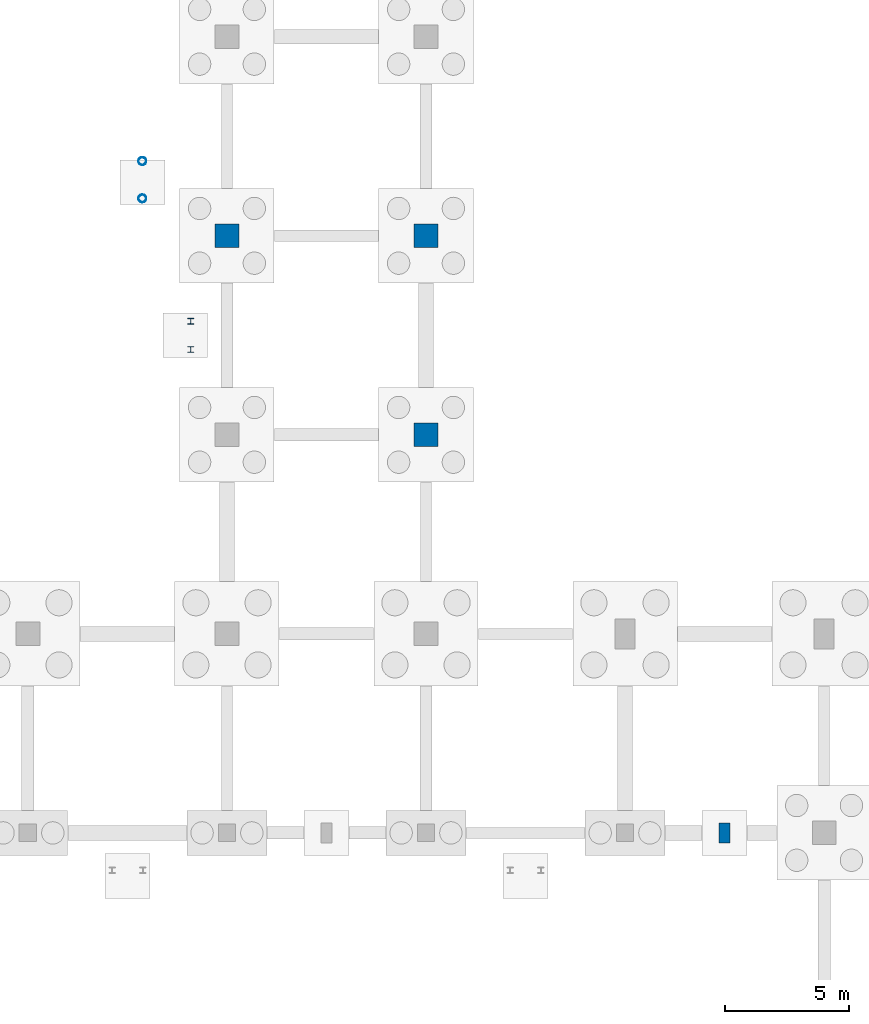
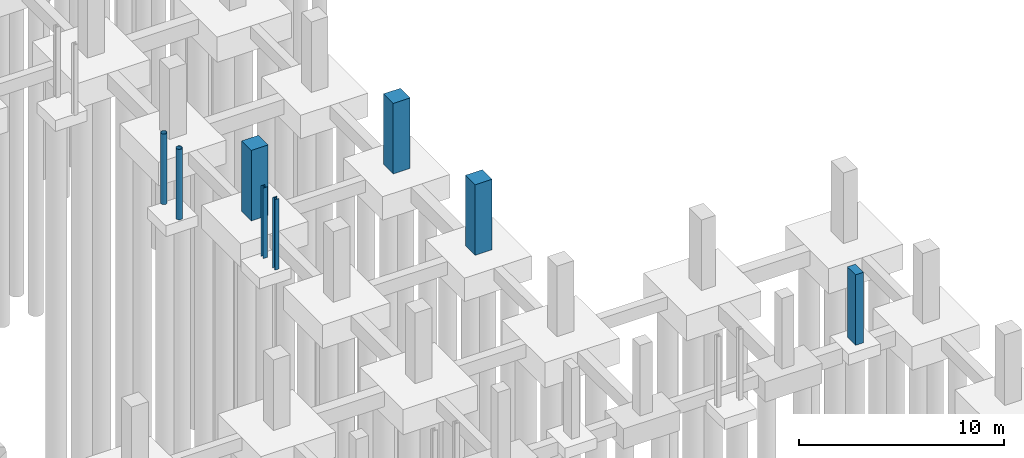
# One storey, part 18 of 32: 8 columns.
"""IFC4 building model written with IfcOpenShell, lengths in metres."""

from ifc_helpers import new_model, si_unit, direction, frame, origin, origin_2d, place, context, subcontext, project, spatial, rectangle, hollow_circle, i_section, extrude, material, material_profile, profile_set, type_object, element, save


model = new_model("IFC4")

# Units and contexts
model_context = context("Model", 3, precision=1e-05, world=origin(), true_north=direction((0.0, 1.0)))
body_context = subcontext(model_context, "Body", "Model", "MODEL_VIEW")
ifc_project = project(units=[si_unit("LENGTHUNIT", "METRE"), si_unit("AREAUNIT", "SQUARE_METRE"), si_unit("VOLUMEUNIT", "CUBIC_METRE"), si_unit("PLANEANGLEUNIT", "RADIAN"), si_unit("MASSUNIT", "GRAM", prefix="KILO")], contexts=[model_context])

# Site, building, storey
site_placement = place(None, origin())
site = spatial("IfcSite", under=ifc_project, at=site_placement, CompositionType="ELEMENT")
building_placement = place(site_placement, origin())
building = spatial("IfcBuilding", under=site, at=building_placement, Name="Tenunan Teduh Sports Hall", CompositionType="ELEMENT")
storey_placement = place(building_placement, frame((0.0, 0.0, -4.199951171875)))
storey = spatial("IfcBuildingStorey", under=building, at=storey_placement, Name="B1", CompositionType="ELEMENT", Elevation=-4.199951171875)

# Columns
ifc_material_1 = material(Name="Concrete C40/50", Category="concrete")
ifc_material_profile_1 = material_profile(ifc_material_1, rectangle(XDim=0.949951171875, YDim=0.949951171875, at=origin_2d()), Name="RC 950x950")
ifc_profile_set_1 = profile_set([ifc_material_profile_1], Name="Concrete C40/50")
column_type_1 = type_object("IfcColumnType", Name="COL-RC-950", PredefinedType="COLUMN", material=ifc_profile_set_1)
for number, where, z_axis, x_axis, name in (
    (1, (146.0, 62.0, 0.0), (0.0, 0.0, 1.0), (1.0, 0.0, 0.0), "COL-C-02-B1-191"),
    (2, (154.0, 54.0, 0.0), (0.0, 0.0, 1.0), (1.0, 0.0, 0.0), "COL-C-02-B1-203"),
    (3, (154.0, 62.0, 0.0), (0.0, 0.0, 1.0), (1.0, 0.0, 0.0), "COL-C-02-B1-204"),
):
    element("IfcColumn", number, at=place(storey_placement, frame(where, z_axis=z_axis, x_axis=x_axis)), inside=storey, type_object=column_type_1, Name=name, PredefinedType="COLUMN", context=body_context, shape_type="SweptSolid", body=[
        extrude(rectangle(XDim=0.949951171875, YDim=0.949951171875, at=origin_2d()), origin(), (0.0, 0.0, 1.0), 4.199951171875),
    ])
ifc_material_2 = material(Name="Steel S355", Category="steel")
ifc_material_profile_2 = material_profile(ifc_material_2, hollow_circle(Radius=0.161865234375, WallThickness=0.012451171875, at=origin_2d()), Name="CHS 323.9x12.5")
ifc_profile_set_2 = profile_set([ifc_material_profile_2], Name="Steel S355")
column_type_2 = type_object("IfcColumnType", Name="COL-ST-CHS324", PredefinedType="COLUMN", material=ifc_profile_set_2)
for number, where, z_axis, x_axis, name in (
    (4, (142.60009765625, 63.5, 0.0), (0.0, 0.0, 1.0), (1.0, 0.0, 0.0), "COL-SC-04-CL2-B1-1"),
    (5, (142.60009765625, 65.0, 0.0), (0.0, 0.0, 1.0), (1.0, 0.0, 0.0), "COL-SC-04-CL2-B1-2"),
):
    element("IfcColumn", number, at=place(storey_placement, frame(where, z_axis=z_axis, x_axis=x_axis)), inside=storey, type_object=column_type_2, Name=name, PredefinedType="COLUMN", context=body_context, shape_type="SweptSolid", body=[
        extrude(hollow_circle(Radius=0.161865234375, WallThickness=0.012451171875, at=origin_2d()), origin(), (0.0, 0.0, 1.0), 4.199951171875),
    ])
ifc_material_3 = material(Name="Steel S355", Category="steel")
ifc_material_profile_3 = material_profile(ifc_material_3, i_section(OverallWidth=0.239990234375, OverallDepth=0.239990234375, WebThickness=0.010009765625, FlangeThickness=0.01708984375, FilletRadius=0.02099609375, at=origin_2d()), Name="HEB 240")
ifc_profile_set_3 = profile_set([ifc_material_profile_3], Name="Steel S355")
column_type_3 = type_object("IfcColumnType", Name="COL-ST-HEB240", PredefinedType="COLUMN", material=ifc_profile_set_3)
for number, where, z_axis, x_axis, name in (
    (6, (144.5400390625, 57.429931640625, 0.0), (0.0, 0.0, 1.0), (1.0, 0.0, 0.0), "COL-SC-04-FST-7-1-B1"),
    (7, (144.5400390625, 58.570068359375, 0.0), (0.0, 0.0, 1.0), (1.0, 0.0, 0.0), "COL-SC-04-FST-7-2-B1"),
):
    element("IfcColumn", number, at=place(storey_placement, frame(where, z_axis=z_axis, x_axis=x_axis)), inside=storey, type_object=column_type_3, Name=name, PredefinedType="COLUMN", context=body_context, shape_type="SweptSolid", body=[
        extrude(i_section(OverallWidth=0.239990234375, OverallDepth=0.239990234375, WebThickness=0.010009765625, FlangeThickness=0.01708984375, FilletRadius=0.02099609375, at=origin_2d()), origin(), (0.0, 0.0, 1.0), 4.199951171875),
    ])
ifc_material_4 = material(Name="Concrete C40/50", Category="concrete")
ifc_material_profile_4 = material_profile(ifc_material_4, rectangle(XDim=0.449951171875, YDim=0.800048828125, at=origin_2d()), Name="PIL 450x800")
ifc_profile_set_4 = profile_set([ifc_material_profile_4], Name="Concrete C40/50")
column_type_4 = type_object("IfcColumnType", Name="PIL-450x800", PredefinedType="PILASTER", material=ifc_profile_set_4)
column_placement = place(storey_placement, frame((166.0, 38.0, 0.0), z_axis=(0.0, 0.0, 1.0), x_axis=(1.0, 0.0, 0.0)))
element("IfcColumn", 8, at=column_placement, inside=storey, type_object=column_type_4, Name="PIL-PL-C1-B1-06", PredefinedType="PILASTER", context=body_context, shape_type="SweptSolid", body=[
    extrude(rectangle(XDim=0.449951171875, YDim=0.800048828125, at=origin_2d()), origin(), (0.0, 0.0, 1.0), 4.199951171875),
])

save(model, "model.ifc")
